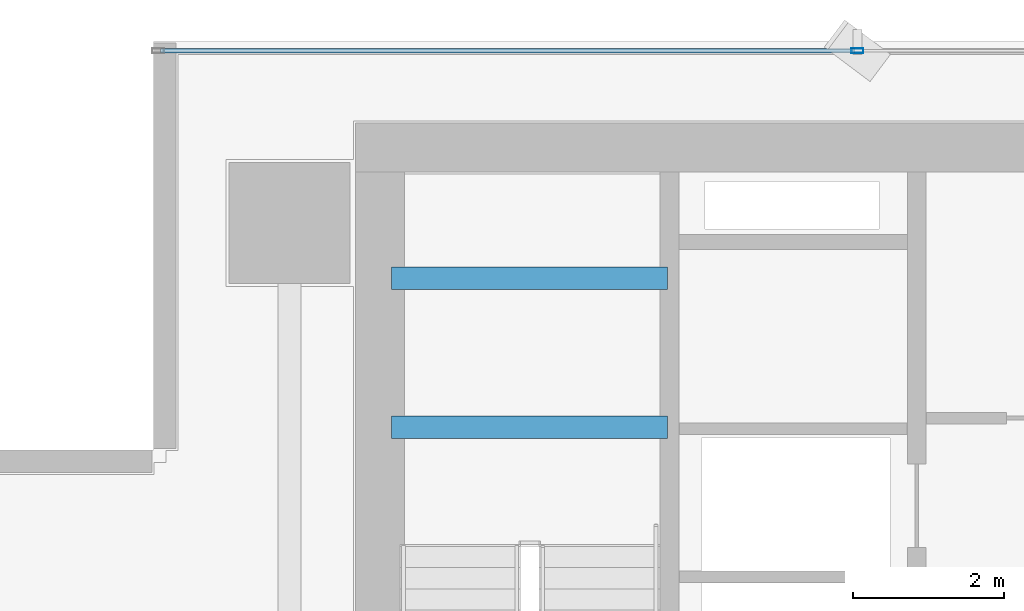
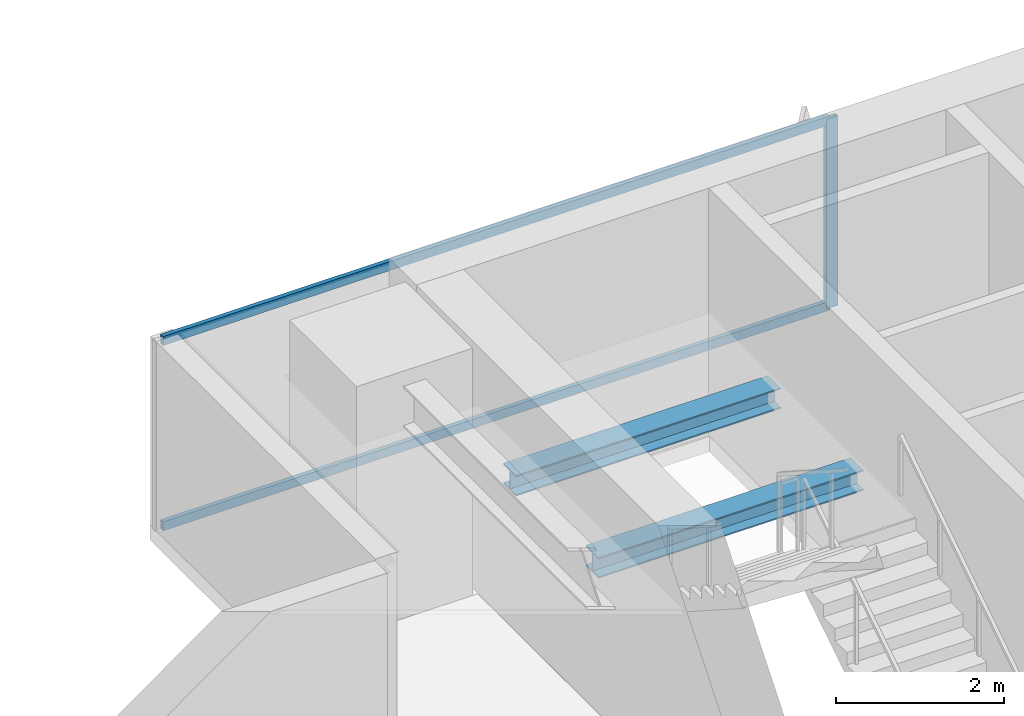
# One storey, part 15 of 27: 3 members, 2 beams, 1 element without a shape of its own.
"""IFC4 building model written with IfcOpenShell, lengths in metres."""

from ifc_helpers import new_model, si_unit, direction, frame, origin, origin_2d, place, context, subcontext, project, spatial, hollow_rectangle, i_section, extrude, source, transform, mapped, material, layer, layer_set, material_profile, profile_set, type_object, element, aggregate, save


model = new_model("IFC4")

# Units and contexts
model_context = context("Model", 3, precision=1e-05, world=origin(), true_north=direction((0.0, 1.0)))
body_context = subcontext(model_context, "Body", "Model", "MODEL_VIEW")
ifc_project = project(units=[si_unit("LENGTHUNIT", "METRE"), si_unit("AREAUNIT", "SQUARE_METRE"), si_unit("VOLUMEUNIT", "CUBIC_METRE"), si_unit("PLANEANGLEUNIT", "RADIAN"), si_unit("MASSUNIT", "GRAM", prefix="KILO")], contexts=[model_context])

# Site, building, storey
site_placement = place(None, origin())
site = spatial("IfcSite", under=ifc_project, at=site_placement, CompositionType="ELEMENT")
building_placement = place(site_placement, origin())
building = spatial("IfcBuilding", under=site, at=building_placement, Name="Sumidabori Civic Tower", CompositionType="ELEMENT")
storey_placement = place(building_placement, frame((0.0, 0.0, 160.39990234375)))
storey = spatial("IfcBuildingStorey", under=building, at=storey_placement, Name="L41", CompositionType="ELEMENT", Elevation=160.39990234375)

# Beams
ifc_material_1 = material(Name="Steel SN490", Category="steel")
ifc_material_profile_1 = material_profile(ifc_material_1, i_section(OverallWidth=0.300048828125, OverallDepth=0.300048828125, WebThickness=0.010986328125, FlangeThickness=0.01904296875, at=origin_2d()), Name="HE 300 B")
ifc_profile_set_1 = profile_set([ifc_material_profile_1], Name="Steel SN490")
beam_type = type_object("IfcBeamType", Name="BM-LDG-300", PredefinedType="BEAM", material=ifc_profile_set_1)
shared_shape_1 = source(origin(), body_context, "Body", "SweptSolid", [
    extrude(i_section(OverallWidth=0.300048828125, OverallDepth=0.300048828125, WebThickness=0.010986328125, FlangeThickness=0.01904296875, at=origin_2d()), origin(), (0.0, 0.0, 1.0), 3.64990234375),
])
for number, where, z_axis, x_axis, name in (
    (1, (-15.449951171875, 20.09765625, 1.4501953125), (1.0, 0.0, 0.0), (0.0, 1.0, 0.0), "Stair ST-1 Landing Support Beam L41-1A"),
    (2, (-15.449951171875, 22.069580078125, 1.4501953125), (1.0, 0.0, 0.0), (0.0, 1.0, 0.0), "Stair ST-1 Landing Trimmer Beam L41-1B"),
):
    element("IfcBeam", number, at=place(storey_placement, frame(where, z_axis=z_axis, x_axis=x_axis)), inside=storey, type_object=beam_type, Name=name, PredefinedType="BEAM", context=body_context, shape_type="MappedRepresentation", body=[
        mapped(shared_shape_1, transform((0.0, 0.0, 0.0), x_axis=(1.0, 0.0, 0.0), y_axis=(0.0, 1.0, 0.0), z_axis=(0.0, 0.0, 1.0), scale=1.0)),
    ])

# Curtain wall, members
ifc_material_2 = material(Name="Anodised Bronze Aluminium AW-6063-T6", Category="aluminium")
ifc_layer = layer(ifc_material_2, 0.179931640625, Name="Anodised Bronze Aluminium AW-6063-T6")
ifc_layer_set = layer_set([ifc_layer], Name="Anodised Bronze Aluminium AW-6063-T6")
curtain_wall_type = type_object("IfcCurtainWallType", Name="CW-SYS-3", PredefinedType="NOTDEFINED", material=ifc_layer_set)
curtain_wall_placement = place(storey_placement, origin())
curtain_wall = element("IfcCurtainWall", 3, at=curtain_wall_placement, inside=storey, type_object=curtain_wall_type, Name="Curtain Wall CW:L41:R07", PredefinedType="NOTDEFINED")
ifc_material_profile_2 = material_profile(ifc_material_2, hollow_rectangle(XDim=0.06494140625, YDim=0.159912109375, WallThickness=0.0048828125, at=origin_2d()), Name="ALU MULLION 160x65")
ifc_profile_set_2 = profile_set([ifc_material_profile_2], Name="Anodised Bronze Aluminium AW-6063-T6")
member_type_1 = type_object("IfcMemberType", Name="CW-MUL-160", PredefinedType="MULLION", material=ifc_profile_set_2)
shared_shape_2 = source(origin(), body_context, "Body", "SweptSolid", [
    extrude(hollow_rectangle(XDim=0.06494140625, YDim=0.159912109375, WallThickness=0.0048828125, at=origin_2d()), origin(), (0.0, 0.0, 1.0), 2.760009765625),
])
member_1_placement = place(storey_placement, frame((-9.284912109375, 25.080078125, 0.0), z_axis=(0.0, 0.0, 1.0), x_axis=(0.0, -1.0, 0.0)))
member_1 = element("IfcMember", 4, at=member_1_placement, type_object=member_type_1, Name="CW-3 mullion 4", PredefinedType="MULLION", context=body_context, shape_type="MappedRepresentation", body=[
    mapped(shared_shape_2, transform((0.0, 0.0, 0.0), x_axis=(1.0, 0.0, 0.0), y_axis=(0.0, 1.0, 0.0), z_axis=(0.0, 0.0, 1.0), scale=1.0)),
])
ifc_material_profile_3 = material_profile(ifc_material_2, hollow_rectangle(XDim=0.06005859375, YDim=0.1298828125, WallThickness=0.0048828125, at=origin_2d()), Name="ALU TRANSOM 130x60")
ifc_profile_set_3 = profile_set([ifc_material_profile_3], Name="Anodised Bronze Aluminium AW-6063-T6")
member_type_2 = type_object("IfcMemberType", Name="CW-TRN-130", PredefinedType="USERDEFINED", material=ifc_profile_set_3)
shared_shape_3 = source(origin(), body_context, "Body", "SweptSolid", [
    extrude(hollow_rectangle(XDim=0.06005859375, YDim=0.1298828125, WallThickness=0.0048828125, at=origin_2d()), origin(), (0.0, 0.0, 1.0), 9.1875),
])
member_2_placement = place(storey_placement, frame((-9.3173828125, 25.080078125, 0.030029296875), z_axis=(-1.0, 0.0, 0.0), x_axis=(0.0, -1.0, 0.0)))
member_2 = element("IfcMember", 5, at=member_2_placement, type_object=member_type_2, Name="CW-3 transom 4.1", ObjectType="TRANSOM", PredefinedType="USERDEFINED", context=body_context, shape_type="MappedRepresentation", body=[
    mapped(shared_shape_3, transform((0.0, 0.0, 0.0), x_axis=(1.0, 0.0, 0.0), y_axis=(0.0, 1.0, 0.0), z_axis=(0.0, 0.0, 1.0), scale=1.0)),
])
member_3_placement = place(storey_placement, frame((-9.3173828125, 25.080078125, 2.72998046875), z_axis=(-1.0, 0.0, 0.0), x_axis=(0.0, -1.0, 0.0)))
member_3 = element("IfcMember", 6, at=member_3_placement, type_object=member_type_2, Name="CW-3 transom 4.2", ObjectType="TRANSOM", PredefinedType="USERDEFINED", context=body_context, shape_type="MappedRepresentation", body=[
    mapped(shared_shape_3, transform((0.0, 0.0, 0.0), x_axis=(1.0, 0.0, 0.0), y_axis=(0.0, 1.0, 0.0), z_axis=(0.0, 0.0, 1.0), scale=1.0)),
])
aggregate(curtain_wall, [member_1, member_2, member_3])

save(model, "model.ifc")
